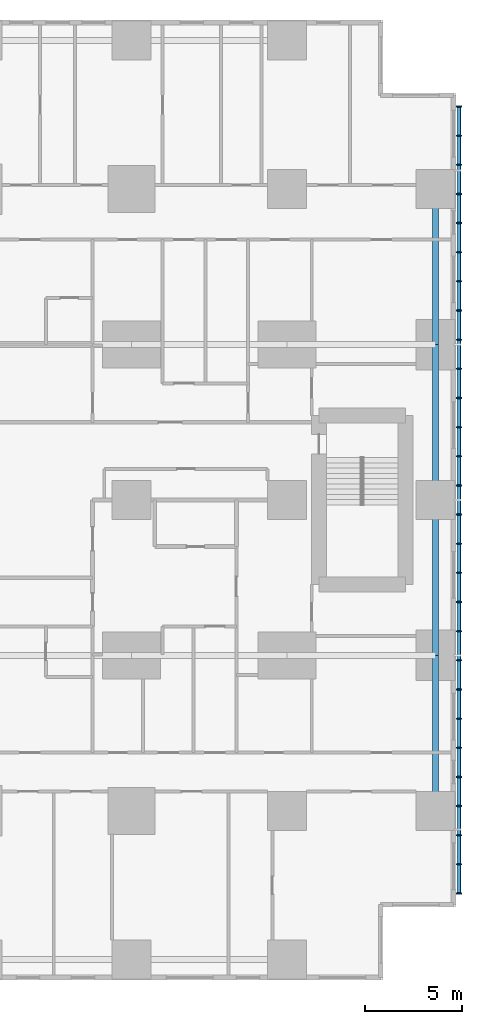
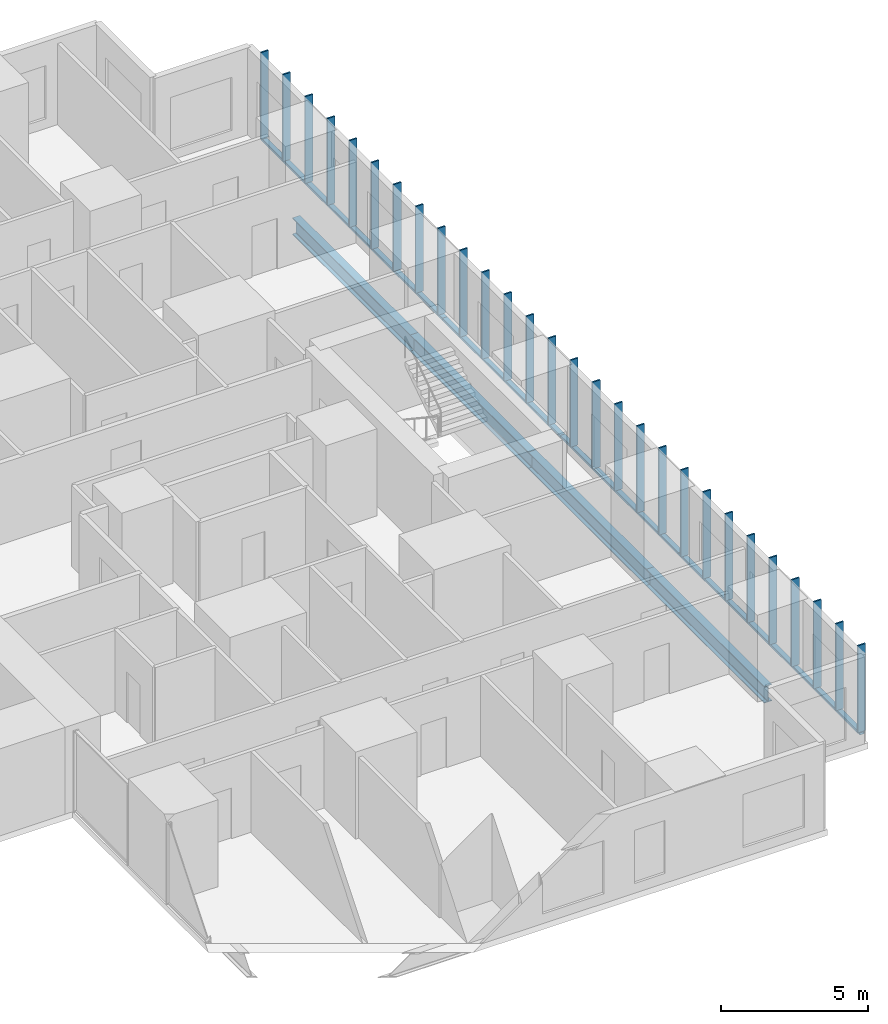
# One storey, part 6 of 20: 32 members, 4 beams.
"""IFC4 building model written with IfcOpenShell, lengths in metres."""

from ifc_helpers import new_model, si_unit, direction, frame, origin, origin_2d, place, context, subcontext, project, spatial, rectangle, hollow_rectangle, i_section, extrude, material, material_profile, profile_set, type_object, element, save


model = new_model("IFC4")

# Units and contexts
model_context = context("Model", 3, precision=1e-05, world=origin(), true_north=direction((0.0, 1.0)))
body_context = subcontext(model_context, "Body", "Model", "MODEL_VIEW")
ifc_project = project(units=[si_unit("LENGTHUNIT", "METRE"), si_unit("AREAUNIT", "SQUARE_METRE"), si_unit("VOLUMEUNIT", "CUBIC_METRE"), si_unit("PLANEANGLEUNIT", "RADIAN"), si_unit("MASSUNIT", "GRAM", prefix="KILO")], contexts=[model_context])

# Site, building, storey
site_placement = place(None, origin())
site = spatial("IfcSite", under=ifc_project, at=site_placement, CompositionType="ELEMENT")
building_placement = place(site_placement, origin())
building = spatial("IfcBuilding", under=site, at=building_placement, Name="Cleftline Residences", CompositionType="ELEMENT")
storey_placement = place(building_placement, frame((0.0, 0.0, 153.800048828125)))
storey = spatial("IfcBuildingStorey", under=building, at=storey_placement, Name="L40", CompositionType="ELEMENT", Elevation=153.800048828125)

# Members
ifc_material_1 = material(Name="Steel S355, hot-dip galvanised", Category="steel")
ifc_material_profile_1 = material_profile(ifc_material_1, hollow_rectangle(XDim=0.10009765625, YDim=0.199951171875, WallThickness=0.008056640625, InnerFilletRadius=0.008056640625, OuterFilletRadius=0.011962890625, at=origin_2d()))
ifc_profile_set_1 = profile_set([ifc_material_profile_1], Name="Steel S355, hot-dip galvanised")
member_type_1 = type_object("IfcMemberType", Name="BAGUETTE CARRIER RHS 200X100X8", PredefinedType="USERDEFINED", material=ifc_profile_set_1)
member_1_placement = place(storey_placement, frame((66.85009765625, 3.699951171875, -0.050048828125), z_axis=(0.0, 1.0, 0.0), x_axis=(0.0, 0.0, 1.0)))
element("IfcMember", 1, at=member_1_placement, inside=storey, type_object=member_type_1, Name="Baguette carrier", ObjectType="BAGUETTE CARRIER", PredefinedType="USERDEFINED", context=body_context, shape_type="SweptSolid", body=[
    extrude(hollow_rectangle(XDim=0.10009765625, YDim=0.199951171875, WallThickness=0.008056640625, InnerFilletRadius=0.008056640625, OuterFilletRadius=0.011962890625, at=origin_2d()), origin(), (0.0, 0.0, 1.0), 12.300048828125),
])
for number, where, z_axis, x_axis, name in (
    (2, (66.85009765625, 16.0, -0.050048828125), (0.0, 1.0, 0.0), (0.0, 0.0, 1.0), "Baguette carrier"),
    (3, (66.85009765625, 24.0, -0.050048828125), (0.0, 1.0, 0.0), (0.0, 0.0, 1.0), "Baguette carrier"),
):
    element("IfcMember", number, at=place(storey_placement, frame(where, z_axis=z_axis, x_axis=x_axis)), inside=storey, type_object=member_type_1, Name=name, ObjectType="BAGUETTE CARRIER", PredefinedType="USERDEFINED", context=body_context, shape_type="SweptSolid", body=[
        extrude(hollow_rectangle(XDim=0.10009765625, YDim=0.199951171875, WallThickness=0.008056640625, InnerFilletRadius=0.008056640625, OuterFilletRadius=0.011962890625, at=origin_2d()), origin(), (0.0, 0.0, 1.0), 8.0),
    ])
member_2_placement = place(storey_placement, frame((66.85009765625, 32.0, -0.050048828125), z_axis=(0.0, 1.0, 0.0), x_axis=(0.0, 0.0, 1.0)))
element("IfcMember", 4, at=member_2_placement, inside=storey, type_object=member_type_1, Name="Baguette carrier", ObjectType="BAGUETTE CARRIER", PredefinedType="USERDEFINED", context=body_context, shape_type="SweptSolid", body=[
    extrude(hollow_rectangle(XDim=0.10009765625, YDim=0.199951171875, WallThickness=0.008056640625, InnerFilletRadius=0.008056640625, OuterFilletRadius=0.011962890625, at=origin_2d()), origin(), (0.0, 0.0, 1.0), 12.300048828125),
])

# Beams
ifc_material_2 = material(Name="Steel S355", Category="steel")
ifc_material_profile_2 = material_profile(ifc_material_2, i_section(OverallWidth=0.300048828125, OverallDepth=0.699951171875, WebThickness=0.01708984375, FlangeThickness=0.031982421875, FilletRadius=0.027099609375, at=origin_2d()))
ifc_profile_set_2 = profile_set([ifc_material_profile_2], Name="Steel S355")
beam_type = type_object("IfcBeamType", Name="BEAM HEB 700", PredefinedType="BEAM", material=ifc_profile_set_2)
for number, where, z_axis, x_axis, name in (
    (5, (65.64990234375, 8.0, -0.60009765625), (0.0, 1.0, 0.0), (-1.0, 0.0, 0.0), "Edge beam"),
    (6, (65.64990234375, 16.0, -0.60009765625), (0.0, 1.0, 0.0), (-1.0, 0.0, 0.0), "Edge beam"),
    (7, (65.64990234375, 24.0, -0.60009765625), (0.0, 1.0, 0.0), (-1.0, 0.0, 0.0), "Edge beam"),
    (8, (65.64990234375, 32.0, -0.60009765625), (0.0, 1.0, 0.0), (-1.0, 0.0, 0.0), "Edge beam"),
):
    element("IfcBeam", number, at=place(storey_placement, frame(where, z_axis=z_axis, x_axis=x_axis)), inside=storey, type_object=beam_type, Name=name, PredefinedType="BEAM", context=body_context, shape_type="SweptSolid", body=[
        extrude(i_section(OverallWidth=0.300048828125, OverallDepth=0.699951171875, WebThickness=0.01708984375, FlangeThickness=0.031982421875, FilletRadius=0.027099609375, at=origin_2d()), origin(), (0.0, 0.0, 1.0), 8.0),
    ])

# Members
ifc_material_3 = material(Name="Extruded terracotta", Category="masonry")
ifc_material_profile_3 = material_profile(ifc_material_3, rectangle(XDim=0.06005859375, YDim=0.300048828125, at=origin_2d()))
ifc_profile_set_3 = profile_set([ifc_material_profile_3], Name="Extruded terracotta")
member_type_2 = type_object("IfcMemberType", Name="TERRACOTTA BAGUETTE 60X300", PredefinedType="USERDEFINED", material=ifc_profile_set_3)
for number, where, z_axis, x_axis, name in (
    (9, (66.85009765625, 3.75, 0.0), (0.0, 0.0, 1.0), (0.0, 1.0, 0.0), "Terracotta baguette"),
    (10, (66.85009765625, 5.25, 0.0), (0.0, 0.0, 1.0), (0.0, 1.0, 0.0), "Terracotta baguette"),
    (11, (66.85009765625, 6.75, 0.0), (0.0, 0.0, 1.0), (0.0, 1.0, 0.0), "Terracotta baguette"),
    (12, (66.85009765625, 8.25, 0.0), (0.0, 0.0, 1.0), (0.0, 1.0, 0.0), "Terracotta baguette"),
    (13, (66.85009765625, 9.75, 0.0), (0.0, 0.0, 1.0), (0.0, 1.0, 0.0), "Terracotta baguette"),
    (14, (66.85009765625, 11.25, 0.0), (0.0, 0.0, 1.0), (0.0, 1.0, 0.0), "Terracotta baguette"),
    (15, (66.85009765625, 12.75, 0.0), (0.0, 0.0, 1.0), (0.0, 1.0, 0.0), "Terracotta baguette"),
    (16, (66.85009765625, 14.25, 0.0), (0.0, 0.0, 1.0), (0.0, 1.0, 0.0), "Terracotta baguette"),
    (17, (66.85009765625, 15.75, 0.0), (0.0, 0.0, 1.0), (0.0, 1.0, 0.0), "Terracotta baguette"),
    (18, (66.85009765625, 17.25, 0.0), (0.0, 0.0, 1.0), (0.0, 1.0, 0.0), "Terracotta baguette"),
    (19, (66.85009765625, 18.75, 0.0), (0.0, 0.0, 1.0), (0.0, 1.0, 0.0), "Terracotta baguette"),
    (20, (66.85009765625, 20.25, 0.0), (0.0, 0.0, 1.0), (0.0, 1.0, 0.0), "Terracotta baguette"),
    (21, (66.85009765625, 21.75, 0.0), (0.0, 0.0, 1.0), (0.0, 1.0, 0.0), "Terracotta baguette"),
    (22, (66.85009765625, 23.25, 0.0), (0.0, 0.0, 1.0), (0.0, 1.0, 0.0), "Terracotta baguette"),
    (23, (66.85009765625, 24.75, 0.0), (0.0, 0.0, 1.0), (0.0, 1.0, 0.0), "Terracotta baguette"),
    (24, (66.85009765625, 26.25, 0.0), (0.0, 0.0, 1.0), (0.0, 1.0, 0.0), "Terracotta baguette"),
    (25, (66.85009765625, 27.75, 0.0), (0.0, 0.0, 1.0), (0.0, 1.0, 0.0), "Terracotta baguette"),
    (26, (66.85009765625, 29.25, 0.0), (0.0, 0.0, 1.0), (0.0, 1.0, 0.0), "Terracotta baguette"),
    (27, (66.85009765625, 30.75, 0.0), (0.0, 0.0, 1.0), (0.0, 1.0, 0.0), "Terracotta baguette"),
    (28, (66.85009765625, 32.25, 0.0), (0.0, 0.0, 1.0), (0.0, 1.0, 0.0), "Terracotta baguette"),
    (29, (66.85009765625, 33.75, 0.0), (0.0, 0.0, 1.0), (0.0, 1.0, 0.0), "Terracotta baguette"),
    (30, (66.85009765625, 35.25, 0.0), (0.0, 0.0, 1.0), (0.0, 1.0, 0.0), "Terracotta baguette"),
    (31, (66.85009765625, 36.75, 0.0), (0.0, 0.0, 1.0), (0.0, 1.0, 0.0), "Terracotta baguette"),
    (32, (66.85009765625, 38.25, 0.0), (0.0, 0.0, 1.0), (0.0, 1.0, 0.0), "Terracotta baguette"),
    (33, (66.85009765625, 39.75, 0.0), (0.0, 0.0, 1.0), (0.0, 1.0, 0.0), "Terracotta baguette"),
    (34, (66.85009765625, 41.25, 0.0), (0.0, 0.0, 1.0), (0.0, 1.0, 0.0), "Terracotta baguette"),
    (35, (66.85009765625, 42.75, 0.0), (0.0, 0.0, 1.0), (0.0, 1.0, 0.0), "Terracotta baguette"),
    (36, (66.85009765625, 44.25, 0.0), (0.0, 0.0, 1.0), (0.0, 1.0, 0.0), "Terracotta baguette"),
):
    element("IfcMember", number, at=place(storey_placement, frame(where, z_axis=z_axis, x_axis=x_axis)), inside=storey, type_object=member_type_2, Name=name, ObjectType="BAGUETTE", PredefinedType="USERDEFINED", context=body_context, shape_type="SweptSolid", body=[
        extrude(rectangle(XDim=0.06005859375, YDim=0.300048828125, at=origin_2d()), origin(), (0.0, 0.0, 1.0), 3.599853515625),
    ])

save(model, "model.ifc")
